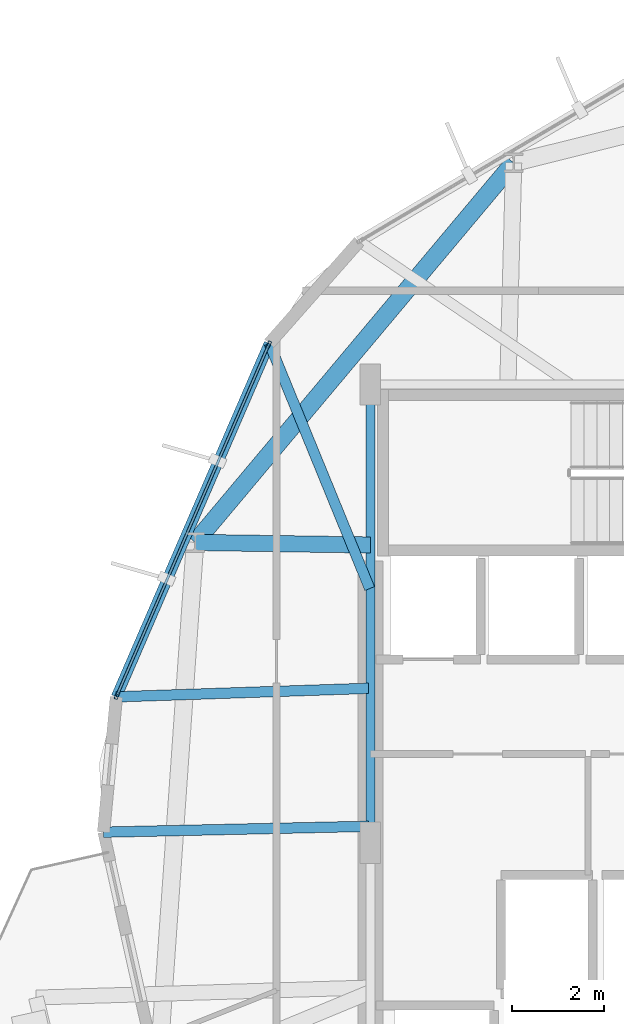
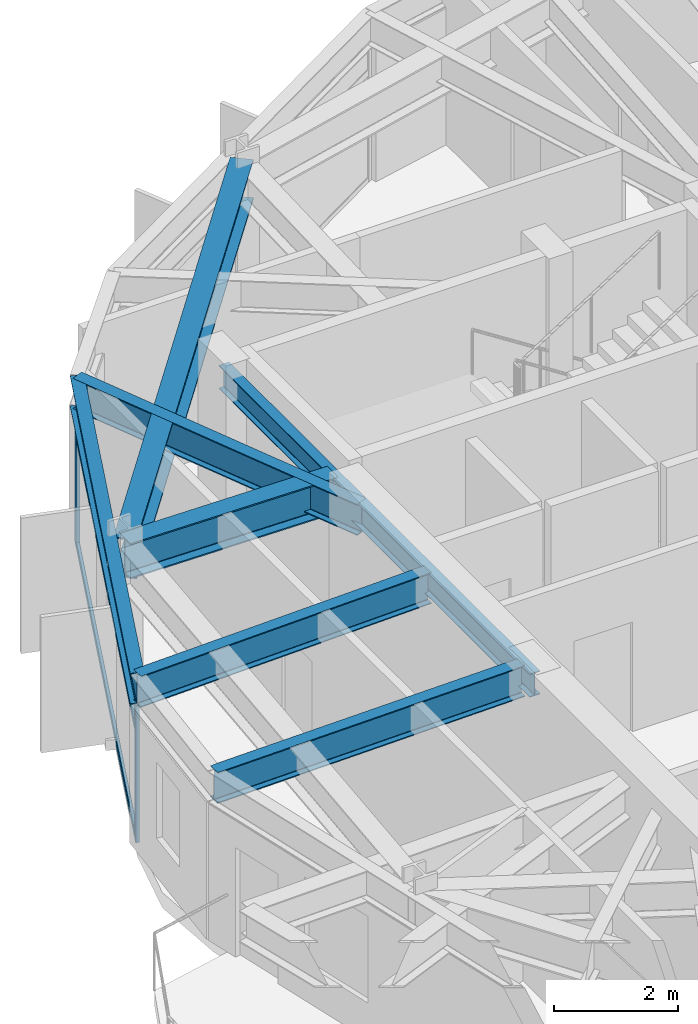
# One storey, part 6 of 21: 7 beams, 5 members, 1 element without a shape of its own.
"""IFC4 building model written with IfcOpenShell, lengths in metres."""

from ifc_helpers import new_model, si_unit, direction, frame, origin, origin_2d, place, context, subcontext, project, spatial, hollow_rectangle, i_section, extrude, material, layer, layer_set, material_profile, profile_set, type_object, element, aggregate, save


model = new_model("IFC4")

# Units and contexts
model_context = context("Model", 3, precision=1e-05, world=origin(), true_north=direction((0.0, 1.0)))
body_context = subcontext(model_context, "Body", "Model", "MODEL_VIEW")
ifc_project = project(units=[si_unit("LENGTHUNIT", "METRE"), si_unit("AREAUNIT", "SQUARE_METRE"), si_unit("VOLUMEUNIT", "CUBIC_METRE"), si_unit("PLANEANGLEUNIT", "RADIAN"), si_unit("MASSUNIT", "GRAM", prefix="KILO")], contexts=[model_context])

# Site, building, storey
site_placement = place(None, origin())
site = spatial("IfcSite", under=ifc_project, at=site_placement, CompositionType="ELEMENT")
building_placement = place(site_placement, origin())
building = spatial("IfcBuilding", under=site, at=building_placement, Name="Soratama Intermodal Tower", CompositionType="ELEMENT")
storey_placement = place(building_placement, frame((0.0, 0.0, 146.199951171875)))
storey = spatial("IfcBuildingStorey", under=building, at=storey_placement, Name="L35", CompositionType="ELEMENT", Elevation=146.199951171875)

# Beams
ifc_material_1 = material(Name="Structural steel ASTM A992 Grade 50", Category="steel")
ifc_material_profile_1 = material_profile(ifc_material_1, i_section(OverallWidth=0.19091796875, OverallDepth=0.4599609375, WebThickness=0.010009765625, FlangeThickness=0.01611328125, FilletRadius=0.010986328125, at=origin_2d()), Name="W18X55")
ifc_profile_set_1 = profile_set([ifc_material_profile_1], Name="Structural steel ASTM A992 Grade 50")
beam_type_1 = type_object("IfcBeamType", Name="BM-FLR-W18X55", PredefinedType="BEAM", material=ifc_profile_set_1)
beam_1_placement = place(storey_placement, frame((32.60009765625, 35.0, 3.070068359375), z_axis=(0.0, -1.0, 0.0), x_axis=(1.0, 0.0, 0.0)))
element("IfcBeam", 1, at=beam_1_placement, inside=storey, type_object=beam_type_1, Name="BM-L35-CRING-08", PredefinedType="BEAM", context=body_context, shape_type="SweptSolid", body=[
    extrude(i_section(OverallWidth=0.19091796875, OverallDepth=0.4599609375, WebThickness=0.010009765625, FlangeThickness=0.01611328125, FilletRadius=0.010986328125, at=origin_2d()), origin(), (0.0, 0.0, 1.0), 10.0),
])
ifc_material_2 = material(Name="Structural steel ASTM A992 Grade 50", Category="steel")
ifc_material_profile_2 = material_profile(ifc_material_2, i_section(OverallWidth=0.35498046875, OverallDepth=0.695068359375, WebThickness=0.015380859375, FlangeThickness=0.02490234375, FilletRadius=0.01611328125, at=origin_2d()), Name="W27X146")
ifc_profile_set_2 = profile_set([ifc_material_profile_2], Name="Structural steel ASTM A992 Grade 50")
beam_type_2 = type_object("IfcBeamType", Name="BM-RING-W27X146", PredefinedType="BEAM", material=ifc_profile_set_2)
beam_2_placement = place(storey_placement, frame((32.60009765625, 31.5, 2.95263671875), z_axis=(-0.999893261134, 0.014610487289, 0.0), x_axis=(-0.014610487289, -0.999893261134, 0.0)))
element("IfcBeam", 2, at=beam_2_placement, inside=storey, type_object=beam_type_2, Name="BM-L35-RAD-05", PredefinedType="BEAM", context=body_context, shape_type="SweptSolid", body=[
    extrude(i_section(OverallWidth=0.35498046875, OverallDepth=0.695068359375, WebThickness=0.015380859375, FlangeThickness=0.02490234375, FilletRadius=0.01611328125, at=origin_2d()), origin(), (0.0, 0.0, 1.0), 3.82666015625),
])
ifc_material_3 = material(Name="Structural steel ASTM A992 Grade 50", Category="steel")
ifc_material_profile_3 = material_profile(ifc_material_3, i_section(OverallWidth=0.382080078125, OverallDepth=0.779052734375, WebThickness=0.01806640625, FlangeThickness=0.030029296875, FilletRadius=0.01806640625, at=origin_2d()), Name="W30X191")
ifc_profile_set_3 = profile_set([ifc_material_profile_3], Name="Structural steel ASTM A992 Grade 50")
beam_type_3 = type_object("IfcBeamType", Name="BM-RING-W30X191", PredefinedType="BEAM", material=ifc_profile_set_3)
beam_3_placement = place(storey_placement, frame((35.72607421875, 39.841064453125, 2.91064453125), z_axis=(-0.642791781199, -0.766040942785, 0.0), x_axis=(0.766040942785, -0.642791781199, 0.0)))
element("IfcBeam", 3, at=beam_3_placement, inside=storey, type_object=beam_type_3, Name="BM-L35-RING-04", PredefinedType="BEAM", context=body_context, shape_type="SweptSolid", body=[
    extrude(i_section(OverallWidth=0.382080078125, OverallDepth=0.779052734375, WebThickness=0.01806640625, FlangeThickness=0.030029296875, FilletRadius=0.01806640625, at=origin_2d()), origin(), (0.0, 0.0, 1.0), 10.815673828125),
])
ifc_material_4 = material(Name="Structural steel ASTM A992 Grade 50", Category="steel")
ifc_material_profile_4 = material_profile(ifc_material_4, i_section(OverallWidth=0.22900390625, OverallDepth=0.612060546875, WebThickness=0.011962890625, FlangeThickness=0.01953125, FilletRadius=0.012939453125, at=origin_2d()), Name="W24X84")
ifc_profile_set_4 = profile_set([ifc_material_profile_4], Name="Structural steel ASTM A992 Grade 50")
beam_type_4 = type_object("IfcBeamType", Name="BM-SPN-W24X84", PredefinedType="SPANDREL", material=ifc_profile_set_4)
beam_4_placement = place(storey_placement, frame((30.39404296875, 35.89990234375, 2.994140625), z_axis=(-0.397152535559, -0.917752615632, 0.0), x_axis=(0.917752615632, -0.397152535559, 0.0)))
element("IfcBeam", 4, at=beam_4_placement, inside=storey, type_object=beam_type_4, Name="BS-L35-F04", PredefinedType="SPANDREL", context=body_context, shape_type="SweptSolid", body=[
    extrude(i_section(OverallWidth=0.22900390625, OverallDepth=0.612060546875, WebThickness=0.011962890625, FlangeThickness=0.01953125, FilletRadius=0.012939453125, at=origin_2d()), origin(), (0.0, 0.0, 1.0), 8.4052734375),
])
ifc_material_5 = material(Name="Structural steel ASTM A992 Grade 50", Category="steel")
ifc_material_profile_5 = material_profile(ifc_material_5, i_section(OverallWidth=0.22900390625, OverallDepth=0.612060546875, WebThickness=0.011962890625, FlangeThickness=0.01953125, FilletRadius=0.012939453125, at=origin_2d()), Name="W24X84")
ifc_profile_set_5 = profile_set([ifc_material_profile_5], Name="Structural steel ASTM A992 Grade 50")
beam_type_5 = type_object("IfcBeamType", Name="BM-TIE-W24X84", PredefinedType="BEAM", material=ifc_profile_set_5)
beam_5_placement = place(storey_placement, frame((32.5849609375, 30.549072265625, 2.994140625), z_axis=(-0.37892055029, 0.925429206675, 0.0), x_axis=(-0.925429206675, -0.37892055029, 0.0)))
element("IfcBeam", 5, at=beam_5_placement, inside=storey, type_object=beam_type_5, Name="BM-L35-TIE0-04", PredefinedType="BEAM", context=body_context, shape_type="SweptSolid", body=[
    extrude(i_section(OverallWidth=0.22900390625, OverallDepth=0.612060546875, WebThickness=0.011962890625, FlangeThickness=0.01953125, FilletRadius=0.012939453125, at=origin_2d()), origin(), (0.0, 0.0, 1.0), 5.781982421875),
])
beam_6_placement = place(storey_placement, frame((32.56005859375, 28.3720703125, 2.994140625), z_axis=(-0.999429300402, -0.033779779415, 0.0), x_axis=(0.033779779415, -0.999429300402, 0.0)))
element("IfcBeam", 6, at=beam_6_placement, inside=storey, type_object=beam_type_5, Name="BM-L35-TIE1-04", PredefinedType="BEAM", context=body_context, shape_type="SweptSolid", body=[
    extrude(i_section(OverallWidth=0.22900390625, OverallDepth=0.612060546875, WebThickness=0.011962890625, FlangeThickness=0.01953125, FilletRadius=0.012939453125, at=origin_2d()), origin(), (0.0, 0.0, 1.0), 5.50732421875),
])
beam_7_placement = place(storey_placement, frame((32.56005859375, 25.361083984375, 2.994140625), z_axis=(-0.99975457135, -0.022153940147, 0.0), x_axis=(0.022153940147, -0.99975457135, 0.0)))
element("IfcBeam", 7, at=beam_7_placement, inside=storey, type_object=beam_type_5, Name="BM-L35-TIE0-05", PredefinedType="BEAM", context=body_context, shape_type="SweptSolid", body=[
    extrude(i_section(OverallWidth=0.22900390625, OverallDepth=0.612060546875, WebThickness=0.011962890625, FlangeThickness=0.01953125, FilletRadius=0.012939453125, at=origin_2d()), origin(), (0.0, 0.0, 1.0), 5.78564453125),
])

# Curtain wall, members
ifc_material_6 = material(Name="Double-glazed aluminium curtain wall", Category="aluminium")
ifc_layer = layer(ifc_material_6, 0.159912109375)
ifc_layer_set = layer_set([ifc_layer], Name="Double-glazed aluminium curtain wall")
curtain_wall_type = type_object("IfcCurtainWallType", Name="CW-SYS-4", PredefinedType="NOTDEFINED", material=ifc_layer_set)
curtain_wall_placement = place(storey_placement, origin())
curtain_wall = element("IfcCurtainWall", 8, at=curtain_wall_placement, inside=storey, type_object=curtain_wall_type, Name="L35 Faceted Curtain Wall F04", PredefinedType="NOTDEFINED")
ifc_material_7 = material(Name="Anodised aluminium AA 6063-T6", Category="aluminium")
ifc_material_profile_6 = material_profile(ifc_material_7, hollow_rectangle(XDim=0.070068359375, YDim=0.159912109375, WallThickness=0.0048828125, InnerFilletRadius=0.0048828125, OuterFilletRadius=0.010009765625, at=origin_2d()), Name="CWM160X70X5")
ifc_profile_set_6 = profile_set([ifc_material_profile_6], Name="Anodised aluminium AA 6063-T6")
member_type_1 = type_object("IfcMemberType", Name="MT-CWM-4", PredefinedType="MULLION", material=ifc_profile_set_6)
member_1_placement = place(storey_placement, frame((30.381591796875, 35.872314453125, 0.0), z_axis=(0.0, 0.0, 1.0), x_axis=(0.917757198874, -0.397141944292, 0.0)))
member_1 = element("IfcMember", 9, at=member_1_placement, type_object=member_type_1, Name="CW-4 mullion 1", PredefinedType="MULLION", context=body_context, shape_type="SweptSolid", body=[
    extrude(hollow_rectangle(XDim=0.070068359375, YDim=0.159912109375, WallThickness=0.0048828125, InnerFilletRadius=0.0048828125, OuterFilletRadius=0.010009765625, at=origin_2d()), origin(), (0.0, 0.0, 1.0), 2.678955078125),
])
member_2_placement = place(storey_placement, frame((27.067626953125, 28.213623046875, 0.0), z_axis=(0.0, 0.0, 1.0), x_axis=(0.917757198874, -0.397141944292, 0.0)))
member_2 = element("IfcMember", 10, at=member_2_placement, type_object=member_type_1, Name="CW-4 mullion 2", PredefinedType="MULLION", context=body_context, shape_type="SweptSolid", body=[
    extrude(hollow_rectangle(XDim=0.070068359375, YDim=0.159912109375, WallThickness=0.0048828125, InnerFilletRadius=0.0048828125, OuterFilletRadius=0.010009765625, at=origin_2d()), origin(), (0.0, 0.0, 1.0), 2.678955078125),
])
ifc_material_8 = material(Name="Anodised aluminium AA 6063-T6", Category="aluminium")
ifc_material_profile_7 = material_profile(ifc_material_8, hollow_rectangle(XDim=0.06005859375, YDim=0.1298828125, WallThickness=0.0048828125, InnerFilletRadius=0.0048828125, OuterFilletRadius=0.010009765625, at=origin_2d()), Name="CWT130X60X5")
ifc_profile_set_7 = profile_set([ifc_material_profile_7], Name="Anodised aluminium AA 6063-T6")
member_type_2 = type_object("IfcMemberType", Name="TT-CWT-2", PredefinedType="USERDEFINED", material=ifc_profile_set_7)
member_3_placement = place(storey_placement, frame((30.369873046875, 35.8447265625, 0.030029296875), z_axis=(-0.397167441881, -0.917746164857, 0.0), x_axis=(0.917746164857, -0.397167441881, 0.0)))
member_3 = element("IfcMember", 11, at=member_3_placement, type_object=member_type_2, Name="CW-4 transom 1.1", ObjectType="TRANSOM", PredefinedType="USERDEFINED", context=body_context, shape_type="SweptSolid", body=[
    extrude(hollow_rectangle(XDim=0.06005859375, YDim=0.1298828125, WallThickness=0.0048828125, InnerFilletRadius=0.0048828125, OuterFilletRadius=0.010009765625, at=origin_2d()), origin(), (0.0, 0.0, 1.0), 8.284912109375),
])
member_4_placement = place(storey_placement, frame((30.369873046875, 35.8447265625, 2.150146484375), z_axis=(-0.397167441881, -0.917746164857, 0.0), x_axis=(0.917746164857, -0.397167441881, 0.0)))
member_4 = element("IfcMember", 12, at=member_4_placement, type_object=member_type_2, Name="CW-4 transom 1.2", ObjectType="TRANSOM", PredefinedType="USERDEFINED", context=body_context, shape_type="SweptSolid", body=[
    extrude(hollow_rectangle(XDim=0.06005859375, YDim=0.1298828125, WallThickness=0.0048828125, InnerFilletRadius=0.0048828125, OuterFilletRadius=0.010009765625, at=origin_2d()), origin(), (0.0, 0.0, 1.0), 8.284912109375),
])
member_5_placement = place(storey_placement, frame((30.369873046875, 35.8447265625, 2.649169921875), z_axis=(-0.397167441881, -0.917746164857, 0.0), x_axis=(0.917746164857, -0.397167441881, 0.0)))
member_5 = element("IfcMember", 13, at=member_5_placement, type_object=member_type_2, Name="CW-4 transom 1.3", ObjectType="TRANSOM", PredefinedType="USERDEFINED", context=body_context, shape_type="SweptSolid", body=[
    extrude(hollow_rectangle(XDim=0.06005859375, YDim=0.1298828125, WallThickness=0.0048828125, InnerFilletRadius=0.0048828125, OuterFilletRadius=0.010009765625, at=origin_2d()), origin(), (0.0, 0.0, 1.0), 8.284912109375),
])
aggregate(curtain_wall, [member_1, member_2, member_3, member_4, member_5])

save(model, "model.ifc")
